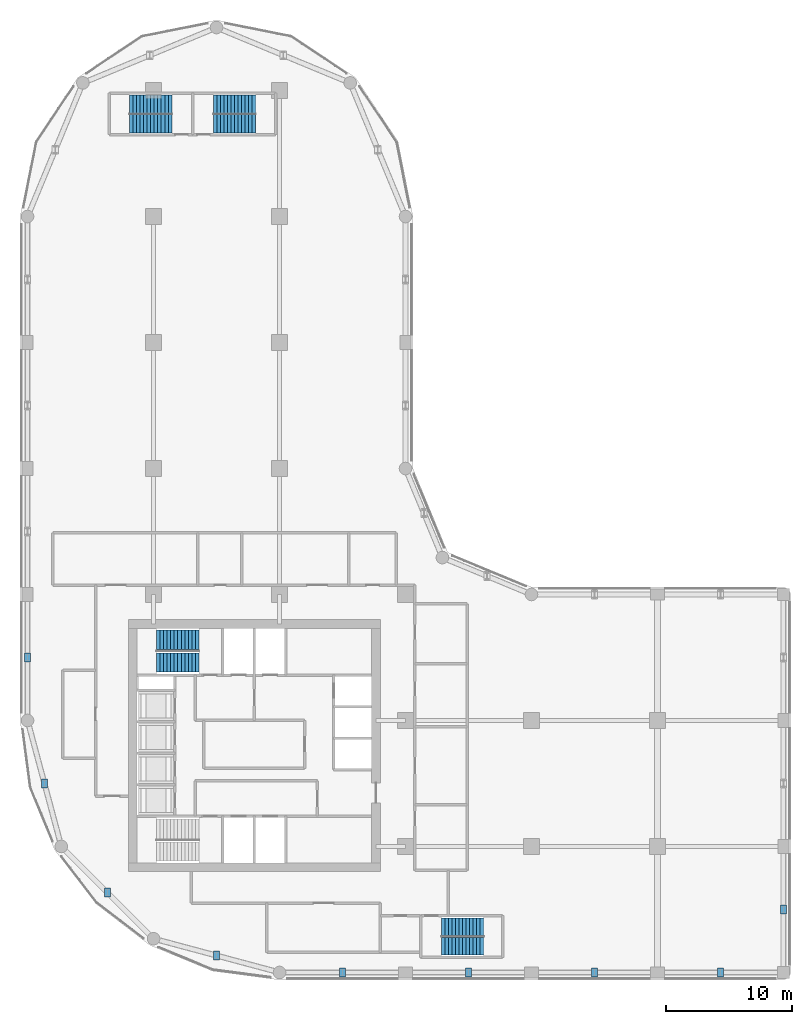
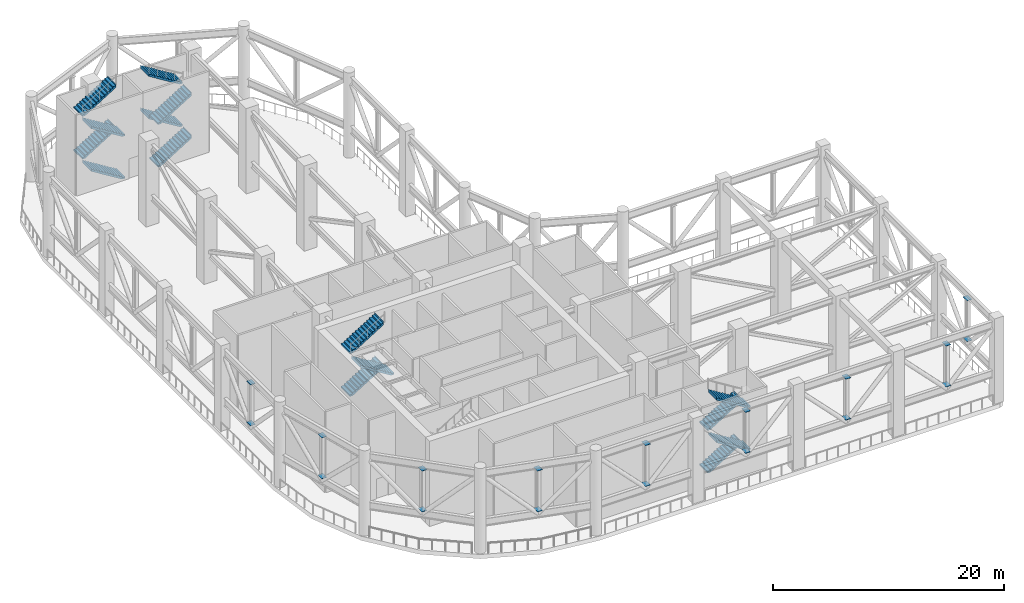
# One storey, part 9 of 13: 18 discrete accessories, 15 stair flights, 4 elements without a shape of their own.
"""IFC4 building model written with IfcOpenShell, lengths in metres."""

import ifcopenshell
import ifcopenshell.guid

model = None  # the IFC model being written
_history = None  # IfcOwnerHistory: only IFC2X3 demands one
_inside = {}  # id of a spatial element -> (the spatial element, [elements in it])
_under = {}  # id of a project, library or spatial element -> (it, [spatial elements below it])
_declared = {}  # id of a project -> (the project, [libraries it declares])
_typed = {}  # id of a type object -> (the type object, [elements of that type])
_made_of = {}  # id of a material, layer set ... -> (it, [elements and type objects made of it])


def new_model(schema):
    """Start an empty IFC model of exactly this schema.

    Asked for "IFC4X3", IfcOpenShell would pick the latest addendum, in which some entities
    have other attributes; the version numbers below select the first issue.
    IFC2X3 requires an IfcOwnerHistory on every rooted entity: one is made here for all.
    """
    global model, _history
    if schema == "IFC4X3":
        model = ifcopenshell.file(schema_version=(4, 3, 0, 0))
    else:
        model = ifcopenshell.file(schema=schema)
    _inside.clear()
    _under.clear()
    _declared.clear()
    _typed.clear()
    _made_of.clear()
    _history = None
    if model.schema == "IFC2X3":
        org = make("IfcOrganization", Name="unknown")
        user = make(
            "IfcPersonAndOrganization",
            ThePerson=make("IfcPerson", FamilyName="unknown"),
            TheOrganization=org,
        )
        app = make(
            "IfcApplication",
            ApplicationDeveloper=org,
            Version="unknown",
            ApplicationFullName="unknown",
            ApplicationIdentifier="unknown",
        )
        _history = make(
            "IfcOwnerHistory",
            OwningUser=user,
            OwningApplication=app,
            ChangeAction="ADDED",
            CreationDate=0,
        )
    return model


def make(cls, **values):
    """One entity of the class cls with the attributes given. An attribute that is None is left unset."""
    return model.create_entity(
        cls, **{name: value for name, value in values.items() if value is not None}
    )


def rooted(cls, **values):
    """An entity with a GlobalId (a new one), such as an element, a storey or a relation."""
    return make(cls, GlobalId=ifcopenshell.guid.new(), OwnerHistory=_history, **values)


def si_unit(unit_type, name, prefix=None):
    """IfcSIUnit, for example si_unit("LENGTHUNIT", "METRE", prefix="MILLI")."""
    return make("IfcSIUnit", UnitType=unit_type, Prefix=prefix, Name=name)


def assignment(units):
    """IfcUnitAssignment: the units of a project."""
    return None if units is None else make("IfcUnitAssignment", Units=units)


def point(xyz):
    """IfcCartesianPoint."""
    return None if xyz is None else make("IfcCartesianPoint", Coordinates=xyz)


def direction(xyz):
    """IfcDirection."""
    return None if xyz is None else make("IfcDirection", DirectionRatios=xyz)


def frame(location, z_axis=None, x_axis=None):
    """IfcAxis2Placement3D, a coordinate frame: its origin and axes. An axis left out is left unset."""
    return make(
        "IfcAxis2Placement3D",
        Location=point(location),
        Axis=direction(z_axis),
        RefDirection=direction(x_axis),
    )


def frame_2d(location, x_axis=None):
    """IfcAxis2Placement2D, a coordinate frame in the plane: its origin and x axis."""
    return make(
        "IfcAxis2Placement2D", Location=point(location), RefDirection=direction(x_axis)
    )


def origin():
    """The frame at (0, 0, 0) with its axes left unset."""
    return frame((0.0, 0.0, 0.0))


def origin_2d():
    """The frame at (0, 0) in the plane with its x axis left unset."""
    return frame_2d((0.0, 0.0))


def place(relative_to, where):
    """IfcLocalPlacement: puts the frame where relative to a parent placement (None: the world)."""
    return make(
        "IfcLocalPlacement", PlacementRelTo=relative_to, RelativePlacement=where
    )


def context(
    kind, dimensions, precision=None, world=None, true_north=None, identifier=None
):
    """IfcGeometricRepresentationContext, for example the 3D "Model" context."""
    return make(
        "IfcGeometricRepresentationContext",
        ContextIdentifier=identifier,
        ContextType=kind,
        CoordinateSpaceDimension=dimensions,
        Precision=precision,
        WorldCoordinateSystem=world,
        TrueNorth=true_north,
    )


def subcontext(parent, identifier, kind, view, scale=None):
    """IfcGeometricRepresentationSubContext, for example "Body" below "Model"."""
    return make(
        "IfcGeometricRepresentationSubContext",
        ContextIdentifier=identifier,
        ContextType=kind,
        ParentContext=parent,
        TargetScale=scale,
        TargetView=view,
    )


def project(units=None, contexts=None):
    """IfcProject with its units and contexts."""
    return rooted(
        "IfcProject",
        Name="project",
        RepresentationContexts=contexts,
        UnitsInContext=assignment(units),
    )


def spatial(cls, under=None, at=None, **own):
    """A site, building, storey or space (cls), placed at a placement, below another one or the project."""
    s = rooted(cls, ObjectPlacement=at, **own)
    if under is not None:
        _under.setdefault(under.id(), (under, []))[1].append(s)
    return s


def polyline(points):
    """IfcPolyline through the points."""
    return make("IfcPolyline", Points=[point(p) for p in points])


def profile(cls, at=None, kind="AREA", **sizes):
    """A parametric profile (cls). Its sizes go by their IFC names, for example OverallWidth=200.0."""
    return make(cls, ProfileType=kind, Position=at, **sizes)


def rectangle(**sizes):
    """IfcRectangleProfileDef."""
    return profile("IfcRectangleProfileDef", **sizes)


def outline(outer, holes=None, kind="AREA"):
    """IfcArbitraryClosedProfileDef: a profile drawn as a closed curve; with holes, ...WithVoids."""
    if holes is None:
        return make("IfcArbitraryClosedProfileDef", ProfileType=kind, OuterCurve=outer)
    return make(
        "IfcArbitraryProfileDefWithVoids",
        ProfileType=kind,
        OuterCurve=outer,
        InnerCurves=holes,
    )


def extrude(swept, where, along, depth):
    """IfcExtrudedAreaSolid: the profile swept, set in the frame where, extruded along a direction by depth."""
    return make(
        "IfcExtrudedAreaSolid",
        SweptArea=swept,
        Position=where,
        ExtrudedDirection=direction(along),
        Depth=depth,
    )


def shape(context_of_items, identifier, shape_type, items):
    """IfcShapeRepresentation: the items that make up one representation, for example the "Body"."""
    return make(
        "IfcShapeRepresentation",
        ContextOfItems=context_of_items,
        RepresentationIdentifier=identifier,
        RepresentationType=shape_type,
        Items=items,
    )


def material(Name=None, Category=None):
    """IfcMaterial."""
    return make("IfcMaterial", Name=Name, Category=Category)


def made_of(thing, what):
    """Note that an element or type object is made of a material, layer set ...; save() writes the relation."""
    if what is not None:
        _made_of.setdefault(what.id(), (what, []))[1].append(thing)
    return thing


def type_object(cls, material=None, **own):
    """A type object (cls), such as IfcWallType, which elements share."""
    return made_of(rooted(cls, **own), material)


def element(
    cls,
    number,
    at=None,
    inside=None,
    cuts=None,
    type_object=None,
    material=None,
    context=None,
    identifier="Body",
    shape_type=None,
    held_by="IfcProductDefinitionShape",
    body=None,
    shapes=None,
    **own,
):
    """One element of the class cls, such as IfcWall. Its Tag is "e" and its number.

    at: its placement. inside: the storey or other place that contains it. cuts: it is an
    opening in that element (IfcRelVoidsElement). A single representation is given by context,
    identifier, shape_type and body (its items); several are given by shapes. held_by: the class
    of the entity that holds the representations. save() writes the other relations.
    """
    e = rooted(cls, Tag="e%d" % number, ObjectPlacement=at, **own)
    if body is not None:
        shapes = [shape(context, identifier, shape_type, body)]
    if shapes is not None:
        e.Representation = make(held_by, Representations=shapes)
    if inside is not None:
        _inside.setdefault(inside.id(), (inside, []))[1].append(e)
    if cuts is not None:
        rooted(
            "IfcRelVoidsElement", RelatingBuildingElement=cuts, RelatedOpeningElement=e
        )
    if type_object is not None:
        _typed.setdefault(type_object.id(), (type_object, []))[1].append(e)
    return made_of(e, material)


def aggregate(whole, parts):
    """IfcRelAggregates: a whole, such as a stair, and the parts it consists of."""
    return rooted("IfcRelAggregates", RelatingObject=whole, RelatedObjects=parts)


def save(model, path):
    """Write the relations noted so far, then the file.

    IfcRelAggregates (storeys below a building ...), IfcRelContainedInSpatialStructure (elements
    in a storey), IfcRelDefinesByType, IfcRelAssociatesMaterial and IfcRelDeclares: one each for
    every whole, place, type object, material and project.
    """
    for whole, parts in _under.values():
        aggregate(whole, parts)
    for where, things in _inside.values():
        rooted(
            "IfcRelContainedInSpatialStructure",
            RelatedElements=things,
            RelatingStructure=where,
        )
    for kind, things in _typed.values():
        rooted("IfcRelDefinesByType", RelatedObjects=things, RelatingType=kind)
    for what, things in _made_of.values():
        rooted("IfcRelAssociatesMaterial", RelatedObjects=things, RelatingMaterial=what)
    for by, libraries in _declared.values():
        rooted("IfcRelDeclares", RelatingContext=by, RelatedDefinitions=libraries)
    model.write(path)


model = new_model("IFC4")

# Units and contexts
model_context = context("Model", 3, precision=1e-05, world=origin(), true_north=direction((0.0, 1.0)))
body_context = subcontext(model_context, "Body", "Model", "MODEL_VIEW")
ifc_project = project(units=[si_unit("LENGTHUNIT", "METRE"), si_unit("AREAUNIT", "SQUARE_METRE"), si_unit("VOLUMEUNIT", "CUBIC_METRE"), si_unit("PLANEANGLEUNIT", "RADIAN"), si_unit("MASSUNIT", "GRAM", prefix="KILO")], contexts=[model_context])

# Site, building, storey
site_placement = place(None, origin())
site = spatial("IfcSite", under=ifc_project, at=site_placement, CompositionType="ELEMENT")
building_placement = place(site_placement, origin())
building = spatial("IfcBuilding", under=site, at=building_placement, Name="Qaws Garden Tower", CompositionType="ELEMENT")
storey_placement = place(building_placement, frame((0.0, 0.0, 237.0)))
storey = spatial("IfcBuildingStorey", under=building, at=storey_placement, Name="L58", CompositionType="ELEMENT", Elevation=237.0)

# Stair, stair flights
ifc_material_1 = material(Name="Concrete C40", Category="concrete")
stair_type_1 = type_object("IfcStairType", Name="Exit stair 1350", PredefinedType="HALF_TURN_STAIR", material=ifc_material_1)
placement = place(storey_placement, origin())
stair_1 = element("IfcStair", 1, at=placement, inside=storey, type_object=stair_type_1, Name="Stair 5", PredefinedType="HALF_TURN_STAIR")
ifc_material_2 = material(Name="Concrete C40", Category="concrete")
stair_flight_type_1 = type_object("IfcStairFlightType", Name="Stair flight 1350", PredefinedType="STRAIGHT", material=ifc_material_2)
stair_flight_1_placement = place(storey_placement, frame((32.85009765625, 3.625, 0.0), z_axis=(0.0, 0.0, 1.0), x_axis=(1.0, 0.0, 0.0)))
stair_flight_1 = element("IfcStairFlight", 2, at=stair_flight_1_placement, type_object=stair_flight_type_1, Name="ST5 flight 1", NumberOfRisers=13, NumberOfTreads=12, PredefinedType="STRAIGHT", RiserHeight=0.173076923, TreadLength=0.28, context=body_context, shape_type="SweptSolid", body=[
    extrude(outline(polyline([(-0.0029296875, 0.0), (-0.0029296875, 0.173095703125), (0.0, 0.173095703125), (0.280029296875, 0.173095703125), (0.280029296875, 0.34619140625), (0.56005859375, 0.34619140625), (0.56005859375, 0.519287109375), (0.840087890625, 0.519287109375), (0.840087890625, 0.6923828125), (1.1201171875, 0.6923828125), (1.1201171875, 0.865478515625), (1.39990234375, 0.865478515625), (1.39990234375, 1.03857421875), (1.679931640625, 1.03857421875), (1.679931640625, 1.21142578125), (1.9599609375, 1.21142578125), (1.9599609375, 1.384521484375), (2.239990234375, 1.384521484375), (2.239990234375, 1.5576171875), (2.52001953125, 1.5576171875), (2.52001953125, 1.730712890625), (2.800048828125, 1.730712890625), (2.800048828125, 1.90380859375), (3.080078125, 1.90380859375), (3.080078125, 2.076904296875), (3.360107421875, 2.076904296875), (3.360107421875, 2.25), (3.363037109375, 2.25), (3.363037109375, 1.900634765625), (3.360107421875, 1.900634765625), (0.28515625, 0.0), (-0.0029296875, 0.0)])), frame((0.0, 0.68994140625, 0.0), z_axis=(0.0, -1.0, 0.0), x_axis=(1.0, 0.0, 0.0)), (0.0, 0.0, 1.0), 1.3798828125),
])
stair_flight_2_placement = place(storey_placement, frame((36.2099609375, 2.074951171875, 2.25), z_axis=(0.0, 0.0, 1.0), x_axis=(-1.0, 0.0, 0.0)))
stair_flight_2 = element("IfcStairFlight", 3, at=stair_flight_2_placement, type_object=stair_flight_type_1, Name="ST5 flight 2", NumberOfRisers=13, NumberOfTreads=12, PredefinedType="STRAIGHT", RiserHeight=0.173076923, TreadLength=0.28, context=body_context, shape_type="SweptSolid", body=[
    extrude(outline(polyline([(-0.0029296875, 0.0), (-0.0029296875, 0.173095703125), (0.0, 0.173095703125), (0.280029296875, 0.173095703125), (0.280029296875, 0.34619140625), (0.56005859375, 0.34619140625), (0.56005859375, 0.519287109375), (0.840087890625, 0.519287109375), (0.840087890625, 0.6923828125), (1.1201171875, 0.6923828125), (1.1201171875, 0.865478515625), (1.39990234375, 0.865478515625), (1.39990234375, 1.03857421875), (1.679931640625, 1.03857421875), (1.679931640625, 1.21142578125), (1.9599609375, 1.21142578125), (1.9599609375, 1.384521484375), (2.239990234375, 1.384521484375), (2.239990234375, 1.5576171875), (2.52001953125, 1.5576171875), (2.52001953125, 1.730712890625), (2.800048828125, 1.730712890625), (2.800048828125, 1.90380859375), (3.080078125, 1.90380859375), (3.080078125, 2.076904296875), (3.360107421875, 2.076904296875), (3.360107421875, 2.25), (3.363037109375, 2.25), (3.363037109375, 1.900634765625), (3.360107421875, 1.900634765625), (0.28515625, 0.0), (-0.0029296875, 0.0)])), frame((0.0, 0.68994140625, 0.0), z_axis=(0.0, -1.0, 0.0), x_axis=(1.0, 0.0, 0.0)), (0.0, 0.0, 1.0), 1.3798828125),
])
stair_flight_3_placement = place(storey_placement, frame((32.85009765625, 3.625, 4.5), z_axis=(0.0, 0.0, 1.0), x_axis=(1.0, 0.0, 0.0)))
stair_flight_3 = element("IfcStairFlight", 4, at=stair_flight_3_placement, type_object=stair_flight_type_1, Name="ST5 flight 3", NumberOfRisers=13, NumberOfTreads=12, PredefinedType="STRAIGHT", RiserHeight=0.173076923, TreadLength=0.28, context=body_context, shape_type="SweptSolid", body=[
    extrude(outline(polyline([(-0.0029296875, 0.0), (-0.0029296875, 0.173095703125), (0.0, 0.173095703125), (0.280029296875, 0.173095703125), (0.280029296875, 0.34619140625), (0.56005859375, 0.34619140625), (0.56005859375, 0.519287109375), (0.840087890625, 0.519287109375), (0.840087890625, 0.6923828125), (1.1201171875, 0.6923828125), (1.1201171875, 0.865478515625), (1.39990234375, 0.865478515625), (1.39990234375, 1.03857421875), (1.679931640625, 1.03857421875), (1.679931640625, 1.21142578125), (1.9599609375, 1.21142578125), (1.9599609375, 1.384521484375), (2.239990234375, 1.384521484375), (2.239990234375, 1.5576171875), (2.52001953125, 1.5576171875), (2.52001953125, 1.730712890625), (2.800048828125, 1.730712890625), (2.800048828125, 1.90380859375), (3.080078125, 1.90380859375), (3.080078125, 2.076904296875), (3.360107421875, 2.076904296875), (3.360107421875, 2.25), (3.363037109375, 2.25), (3.363037109375, 1.900634765625), (3.360107421875, 1.900634765625), (0.28515625, 0.0), (-0.0029296875, 0.0)])), frame((0.0, 0.68994140625, 0.0), z_axis=(0.0, -1.0, 0.0), x_axis=(1.0, 0.0, 0.0)), (0.0, 0.0, 1.0), 1.3798828125),
])
stair_flight_4_placement = place(storey_placement, frame((36.2099609375, 2.074951171875, 6.75), z_axis=(0.0, 0.0, 1.0), x_axis=(-1.0, 0.0, 0.0)))
stair_flight_4 = element("IfcStairFlight", 5, at=stair_flight_4_placement, type_object=stair_flight_type_1, Name="ST5 flight 4", NumberOfRisers=13, NumberOfTreads=12, PredefinedType="STRAIGHT", RiserHeight=0.173076923, TreadLength=0.28, context=body_context, shape_type="SweptSolid", body=[
    extrude(outline(polyline([(-0.0029296875, 0.0), (-0.0029296875, 0.173095703125), (0.0, 0.173095703125), (0.280029296875, 0.173095703125), (0.280029296875, 0.34619140625), (0.56005859375, 0.34619140625), (0.56005859375, 0.519287109375), (0.840087890625, 0.519287109375), (0.840087890625, 0.6923828125), (1.1201171875, 0.6923828125), (1.1201171875, 0.865478515625), (1.39990234375, 0.865478515625), (1.39990234375, 1.03857421875), (1.679931640625, 1.03857421875), (1.679931640625, 1.21142578125), (1.9599609375, 1.21142578125), (1.9599609375, 1.384521484375), (2.239990234375, 1.384521484375), (2.239990234375, 1.5576171875), (2.52001953125, 1.5576171875), (2.52001953125, 1.730712890625), (2.800048828125, 1.730712890625), (2.800048828125, 1.90380859375), (3.080078125, 1.90380859375), (3.080078125, 2.076904296875), (3.360107421875, 2.076904296875), (3.360107421875, 2.25), (3.363037109375, 2.25), (3.363037109375, 1.900634765625), (3.360107421875, 1.900634765625), (0.28515625, 0.0), (-0.0029296875, 0.0)])), frame((0.0, 0.68994140625, 0.0), z_axis=(0.0, -1.0, 0.0), x_axis=(1.0, 0.0, 0.0)), (0.0, 0.0, 1.0), 1.3798828125),
])
aggregate(stair_1, [stair_flight_1, stair_flight_2, stair_flight_3, stair_flight_4])

stair_2 = element("IfcStair", 6, at=placement, inside=storey, type_object=stair_type_1, Name="Stair 6", PredefinedType="HALF_TURN_STAIR")
stair_flight_5_placement = place(storey_placement, frame((11.449951171875, 67.375, 0.0), z_axis=(0.0, 0.0, 1.0), x_axis=(-1.0, 0.0, 0.0)))
stair_flight_5 = element("IfcStairFlight", 7, at=stair_flight_5_placement, type_object=stair_flight_type_1, Name="ST6 flight 1", NumberOfRisers=13, NumberOfTreads=12, PredefinedType="STRAIGHT", RiserHeight=0.173076923, TreadLength=0.28, context=body_context, shape_type="SweptSolid", body=[
    extrude(outline(polyline([(-0.0029296875, 0.0), (-0.0029296875, 0.173095703125), (0.0, 0.173095703125), (0.280029296875, 0.173095703125), (0.280029296875, 0.34619140625), (0.56005859375, 0.34619140625), (0.56005859375, 0.519287109375), (0.840087890625, 0.519287109375), (0.840087890625, 0.6923828125), (1.1201171875, 0.6923828125), (1.1201171875, 0.865478515625), (1.39990234375, 0.865478515625), (1.39990234375, 1.03857421875), (1.679931640625, 1.03857421875), (1.679931640625, 1.21142578125), (1.9599609375, 1.21142578125), (1.9599609375, 1.384521484375), (2.239990234375, 1.384521484375), (2.239990234375, 1.5576171875), (2.52001953125, 1.5576171875), (2.52001953125, 1.730712890625), (2.800048828125, 1.730712890625), (2.800048828125, 1.90380859375), (3.080078125, 1.90380859375), (3.080078125, 2.076904296875), (3.360107421875, 2.076904296875), (3.360107421875, 2.25), (3.363037109375, 2.25), (3.363037109375, 1.900634765625), (3.360107421875, 1.900634765625), (0.28515625, 0.0), (-0.0029296875, 0.0)])), frame((0.0, 0.739990234375, 0.0), z_axis=(0.0, -1.0, 0.0), x_axis=(1.0, 0.0, 0.0)), (0.0, 0.0, 1.0), 1.47998046875),
])
stair_flight_6_placement = place(storey_placement, frame((8.090087890625, 68.925048828125, 2.25), z_axis=(0.0, 0.0, 1.0), x_axis=(1.0, 0.0, 0.0)))
stair_flight_6 = element("IfcStairFlight", 8, at=stair_flight_6_placement, type_object=stair_flight_type_1, Name="ST6 flight 2", NumberOfRisers=13, NumberOfTreads=12, PredefinedType="STRAIGHT", RiserHeight=0.173076923, TreadLength=0.28, context=body_context, shape_type="SweptSolid", body=[
    extrude(outline(polyline([(-0.0029296875, 0.0), (-0.0029296875, 0.173095703125), (0.0, 0.173095703125), (0.280029296875, 0.173095703125), (0.280029296875, 0.34619140625), (0.56005859375, 0.34619140625), (0.56005859375, 0.519287109375), (0.840087890625, 0.519287109375), (0.840087890625, 0.6923828125), (1.1201171875, 0.6923828125), (1.1201171875, 0.865478515625), (1.39990234375, 0.865478515625), (1.39990234375, 1.03857421875), (1.679931640625, 1.03857421875), (1.679931640625, 1.21142578125), (1.9599609375, 1.21142578125), (1.9599609375, 1.384521484375), (2.239990234375, 1.384521484375), (2.239990234375, 1.5576171875), (2.52001953125, 1.5576171875), (2.52001953125, 1.730712890625), (2.800048828125, 1.730712890625), (2.800048828125, 1.90380859375), (3.080078125, 1.90380859375), (3.080078125, 2.076904296875), (3.360107421875, 2.076904296875), (3.360107421875, 2.25), (3.363037109375, 2.25), (3.363037109375, 1.900634765625), (3.360107421875, 1.900634765625), (0.28515625, 0.0), (-0.0029296875, 0.0)])), frame((0.0, 0.739990234375, 0.0), z_axis=(0.0, -1.0, 0.0), x_axis=(1.0, 0.0, 0.0)), (0.0, 0.0, 1.0), 1.47998046875),
])
stair_flight_7_placement = place(storey_placement, frame((11.449951171875, 67.375, 4.5), z_axis=(0.0, 0.0, 1.0), x_axis=(-1.0, 0.0, 0.0)))
stair_flight_7 = element("IfcStairFlight", 9, at=stair_flight_7_placement, type_object=stair_flight_type_1, Name="ST6 flight 3", NumberOfRisers=13, NumberOfTreads=12, PredefinedType="STRAIGHT", RiserHeight=0.173076923, TreadLength=0.28, context=body_context, shape_type="SweptSolid", body=[
    extrude(outline(polyline([(-0.0029296875, 0.0), (-0.0029296875, 0.173095703125), (0.0, 0.173095703125), (0.280029296875, 0.173095703125), (0.280029296875, 0.34619140625), (0.56005859375, 0.34619140625), (0.56005859375, 0.519287109375), (0.840087890625, 0.519287109375), (0.840087890625, 0.6923828125), (1.1201171875, 0.6923828125), (1.1201171875, 0.865478515625), (1.39990234375, 0.865478515625), (1.39990234375, 1.03857421875), (1.679931640625, 1.03857421875), (1.679931640625, 1.21142578125), (1.9599609375, 1.21142578125), (1.9599609375, 1.384521484375), (2.239990234375, 1.384521484375), (2.239990234375, 1.5576171875), (2.52001953125, 1.5576171875), (2.52001953125, 1.730712890625), (2.800048828125, 1.730712890625), (2.800048828125, 1.90380859375), (3.080078125, 1.90380859375), (3.080078125, 2.076904296875), (3.360107421875, 2.076904296875), (3.360107421875, 2.25), (3.363037109375, 2.25), (3.363037109375, 1.900634765625), (3.360107421875, 1.900634765625), (0.28515625, 0.0), (-0.0029296875, 0.0)])), frame((0.0, 0.739990234375, 0.0), z_axis=(0.0, -1.0, 0.0), x_axis=(1.0, 0.0, 0.0)), (0.0, 0.0, 1.0), 1.47998046875),
])
stair_flight_8_placement = place(storey_placement, frame((8.090087890625, 68.925048828125, 6.75), z_axis=(0.0, 0.0, 1.0), x_axis=(1.0, 0.0, 0.0)))
stair_flight_8 = element("IfcStairFlight", 10, at=stair_flight_8_placement, type_object=stair_flight_type_1, Name="ST6 flight 4", NumberOfRisers=13, NumberOfTreads=12, PredefinedType="STRAIGHT", RiserHeight=0.173076923, TreadLength=0.28, context=body_context, shape_type="SweptSolid", body=[
    extrude(outline(polyline([(-0.0029296875, 0.0), (-0.0029296875, 0.173095703125), (0.0, 0.173095703125), (0.280029296875, 0.173095703125), (0.280029296875, 0.34619140625), (0.56005859375, 0.34619140625), (0.56005859375, 0.519287109375), (0.840087890625, 0.519287109375), (0.840087890625, 0.6923828125), (1.1201171875, 0.6923828125), (1.1201171875, 0.865478515625), (1.39990234375, 0.865478515625), (1.39990234375, 1.03857421875), (1.679931640625, 1.03857421875), (1.679931640625, 1.21142578125), (1.9599609375, 1.21142578125), (1.9599609375, 1.384521484375), (2.239990234375, 1.384521484375), (2.239990234375, 1.5576171875), (2.52001953125, 1.5576171875), (2.52001953125, 1.730712890625), (2.800048828125, 1.730712890625), (2.800048828125, 1.90380859375), (3.080078125, 1.90380859375), (3.080078125, 2.076904296875), (3.360107421875, 2.076904296875), (3.360107421875, 2.25), (3.363037109375, 2.25), (3.363037109375, 1.900634765625), (3.360107421875, 1.900634765625), (0.28515625, 0.0), (-0.0029296875, 0.0)])), frame((0.0, 0.739990234375, 0.0), z_axis=(0.0, -1.0, 0.0), x_axis=(1.0, 0.0, 0.0)), (0.0, 0.0, 1.0), 1.47998046875),
])
aggregate(stair_2, [stair_flight_5, stair_flight_6, stair_flight_7, stair_flight_8])

stair_3 = element("IfcStair", 11, at=placement, inside=storey, type_object=stair_type_1, Name="Stair 7", PredefinedType="HALF_TURN_STAIR")
stair_flight_9_placement = place(storey_placement, frame((14.75, 67.375, 0.0), z_axis=(0.0, 0.0, 1.0), x_axis=(1.0, 0.0, 0.0)))
stair_flight_9 = element("IfcStairFlight", 12, at=stair_flight_9_placement, type_object=stair_flight_type_1, Name="ST7 flight 1", NumberOfRisers=13, NumberOfTreads=12, PredefinedType="STRAIGHT", RiserHeight=0.173076923, TreadLength=0.28, context=body_context, shape_type="SweptSolid", body=[
    extrude(outline(polyline([(-0.0029296875, 0.0), (-0.0029296875, 0.173095703125), (0.0, 0.173095703125), (0.280029296875, 0.173095703125), (0.280029296875, 0.34619140625), (0.56005859375, 0.34619140625), (0.56005859375, 0.519287109375), (0.840087890625, 0.519287109375), (0.840087890625, 0.6923828125), (1.1201171875, 0.6923828125), (1.1201171875, 0.865478515625), (1.39990234375, 0.865478515625), (1.39990234375, 1.03857421875), (1.679931640625, 1.03857421875), (1.679931640625, 1.21142578125), (1.9599609375, 1.21142578125), (1.9599609375, 1.384521484375), (2.239990234375, 1.384521484375), (2.239990234375, 1.5576171875), (2.52001953125, 1.5576171875), (2.52001953125, 1.730712890625), (2.800048828125, 1.730712890625), (2.800048828125, 1.90380859375), (3.080078125, 1.90380859375), (3.080078125, 2.076904296875), (3.360107421875, 2.076904296875), (3.360107421875, 2.25), (3.363037109375, 2.25), (3.363037109375, 1.900634765625), (3.360107421875, 1.900634765625), (0.28515625, 0.0), (-0.0029296875, 0.0)])), frame((0.0, 0.739990234375, 0.0), z_axis=(0.0, -1.0, 0.0), x_axis=(1.0, 0.0, 0.0)), (0.0, 0.0, 1.0), 1.47998046875),
])
stair_flight_10_placement = place(storey_placement, frame((18.110107421875, 68.925048828125, 2.25), z_axis=(0.0, 0.0, 1.0), x_axis=(-1.0, 0.0, 0.0)))
stair_flight_10 = element("IfcStairFlight", 13, at=stair_flight_10_placement, type_object=stair_flight_type_1, Name="ST7 flight 2", NumberOfRisers=13, NumberOfTreads=12, PredefinedType="STRAIGHT", RiserHeight=0.173076923, TreadLength=0.28, context=body_context, shape_type="SweptSolid", body=[
    extrude(outline(polyline([(-0.0029296875, 0.0), (-0.0029296875, 0.173095703125), (0.0, 0.173095703125), (0.280029296875, 0.173095703125), (0.280029296875, 0.34619140625), (0.56005859375, 0.34619140625), (0.56005859375, 0.519287109375), (0.840087890625, 0.519287109375), (0.840087890625, 0.6923828125), (1.1201171875, 0.6923828125), (1.1201171875, 0.865478515625), (1.39990234375, 0.865478515625), (1.39990234375, 1.03857421875), (1.679931640625, 1.03857421875), (1.679931640625, 1.21142578125), (1.9599609375, 1.21142578125), (1.9599609375, 1.384521484375), (2.239990234375, 1.384521484375), (2.239990234375, 1.5576171875), (2.52001953125, 1.5576171875), (2.52001953125, 1.730712890625), (2.800048828125, 1.730712890625), (2.800048828125, 1.90380859375), (3.080078125, 1.90380859375), (3.080078125, 2.076904296875), (3.360107421875, 2.076904296875), (3.360107421875, 2.25), (3.363037109375, 2.25), (3.363037109375, 1.900634765625), (3.360107421875, 1.900634765625), (0.28515625, 0.0), (-0.0029296875, 0.0)])), frame((0.0, 0.739990234375, 0.0), z_axis=(0.0, -1.0, 0.0), x_axis=(1.0, 0.0, 0.0)), (0.0, 0.0, 1.0), 1.47998046875),
])
stair_flight_11_placement = place(storey_placement, frame((14.75, 67.375, 4.5), z_axis=(0.0, 0.0, 1.0), x_axis=(1.0, 0.0, 0.0)))
stair_flight_11 = element("IfcStairFlight", 14, at=stair_flight_11_placement, type_object=stair_flight_type_1, Name="ST7 flight 3", NumberOfRisers=13, NumberOfTreads=12, PredefinedType="STRAIGHT", RiserHeight=0.173076923, TreadLength=0.28, context=body_context, shape_type="SweptSolid", body=[
    extrude(outline(polyline([(-0.0029296875, 0.0), (-0.0029296875, 0.173095703125), (0.0, 0.173095703125), (0.280029296875, 0.173095703125), (0.280029296875, 0.34619140625), (0.56005859375, 0.34619140625), (0.56005859375, 0.519287109375), (0.840087890625, 0.519287109375), (0.840087890625, 0.6923828125), (1.1201171875, 0.6923828125), (1.1201171875, 0.865478515625), (1.39990234375, 0.865478515625), (1.39990234375, 1.03857421875), (1.679931640625, 1.03857421875), (1.679931640625, 1.21142578125), (1.9599609375, 1.21142578125), (1.9599609375, 1.384521484375), (2.239990234375, 1.384521484375), (2.239990234375, 1.5576171875), (2.52001953125, 1.5576171875), (2.52001953125, 1.730712890625), (2.800048828125, 1.730712890625), (2.800048828125, 1.90380859375), (3.080078125, 1.90380859375), (3.080078125, 2.076904296875), (3.360107421875, 2.076904296875), (3.360107421875, 2.25), (3.363037109375, 2.25), (3.363037109375, 1.900634765625), (3.360107421875, 1.900634765625), (0.28515625, 0.0), (-0.0029296875, 0.0)])), frame((0.0, 0.739990234375, 0.0), z_axis=(0.0, -1.0, 0.0), x_axis=(1.0, 0.0, 0.0)), (0.0, 0.0, 1.0), 1.47998046875),
])
stair_flight_12_placement = place(storey_placement, frame((18.110107421875, 68.925048828125, 6.75), z_axis=(0.0, 0.0, 1.0), x_axis=(-1.0, 0.0, 0.0)))
stair_flight_12 = element("IfcStairFlight", 15, at=stair_flight_12_placement, type_object=stair_flight_type_1, Name="ST7 flight 4", NumberOfRisers=13, NumberOfTreads=12, PredefinedType="STRAIGHT", RiserHeight=0.173076923, TreadLength=0.28, context=body_context, shape_type="SweptSolid", body=[
    extrude(outline(polyline([(-0.0029296875, 0.0), (-0.0029296875, 0.173095703125), (0.0, 0.173095703125), (0.280029296875, 0.173095703125), (0.280029296875, 0.34619140625), (0.56005859375, 0.34619140625), (0.56005859375, 0.519287109375), (0.840087890625, 0.519287109375), (0.840087890625, 0.6923828125), (1.1201171875, 0.6923828125), (1.1201171875, 0.865478515625), (1.39990234375, 0.865478515625), (1.39990234375, 1.03857421875), (1.679931640625, 1.03857421875), (1.679931640625, 1.21142578125), (1.9599609375, 1.21142578125), (1.9599609375, 1.384521484375), (2.239990234375, 1.384521484375), (2.239990234375, 1.5576171875), (2.52001953125, 1.5576171875), (2.52001953125, 1.730712890625), (2.800048828125, 1.730712890625), (2.800048828125, 1.90380859375), (3.080078125, 1.90380859375), (3.080078125, 2.076904296875), (3.360107421875, 2.076904296875), (3.360107421875, 2.25), (3.363037109375, 2.25), (3.363037109375, 1.900634765625), (3.360107421875, 1.900634765625), (0.28515625, 0.0), (-0.0029296875, 0.0)])), frame((0.0, 0.739990234375, 0.0), z_axis=(0.0, -1.0, 0.0), x_axis=(1.0, 0.0, 0.0)), (0.0, 0.0, 1.0), 1.47998046875),
])
aggregate(stair_3, [stair_flight_9, stair_flight_10, stair_flight_11, stair_flight_12])

ifc_material_3 = material(Name="Concrete C40", Category="concrete")
stair_type_2 = type_object("IfcStairType", Name="Exit stair 1500", PredefinedType="HALF_TURN_STAIR", material=ifc_material_3)
stair_4 = element("IfcStair", 16, at=placement, inside=storey, type_object=stair_type_2, Name="Stair 4", PredefinedType="HALF_TURN_STAIR")
ifc_material_4 = material(Name="Concrete C40", Category="concrete")
stair_flight_type_2 = type_object("IfcStairFlightType", Name="Stair flight 1500", PredefinedType="STRAIGHT", material=ifc_material_4)
stair_flight_13_placement = place(storey_placement, frame((10.239990234375, 26.39990234375, 2.25), z_axis=(0.0, 0.0, 1.0), x_axis=(1.0, 0.0, 0.0)))
stair_flight_13 = element("IfcStairFlight", 17, at=stair_flight_13_placement, type_object=stair_flight_type_2, Name="ST4 flight 2", NumberOfRisers=13, NumberOfTreads=12, PredefinedType="STRAIGHT", RiserHeight=0.173076923, TreadLength=0.28, context=body_context, shape_type="SweptSolid", body=[
    extrude(outline(polyline([(-0.0029296875, 0.0), (-0.0029296875, 0.173095703125), (0.0, 0.173095703125), (0.280029296875, 0.173095703125), (0.280029296875, 0.34619140625), (0.56005859375, 0.34619140625), (0.56005859375, 0.519287109375), (0.840087890625, 0.519287109375), (0.840087890625, 0.6923828125), (1.1201171875, 0.6923828125), (1.1201171875, 0.865478515625), (1.39990234375, 0.865478515625), (1.39990234375, 1.03857421875), (1.679931640625, 1.03857421875), (1.679931640625, 1.21142578125), (1.9599609375, 1.21142578125), (1.9599609375, 1.384521484375), (2.239990234375, 1.384521484375), (2.239990234375, 1.5576171875), (2.52001953125, 1.5576171875), (2.52001953125, 1.730712890625), (2.800048828125, 1.730712890625), (2.800048828125, 1.90380859375), (3.080078125, 1.90380859375), (3.080078125, 2.076904296875), (3.360107421875, 2.076904296875), (3.360107421875, 2.25), (3.363037109375, 2.25), (3.363037109375, 1.900634765625), (3.360107421875, 1.900634765625), (0.28515625, 0.0), (-0.0029296875, 0.0)])), frame((0.0, 0.77001953125, 0.0), z_axis=(0.0, -1.0, 0.0), x_axis=(1.0, 0.0, 0.0)), (0.0, 0.0, 1.0), 1.5400390625),
])
stair_flight_14_placement = place(storey_placement, frame((13.60009765625, 24.60009765625, 4.5), z_axis=(0.0, 0.0, 1.0), x_axis=(-1.0, 0.0, 0.0)))
stair_flight_14 = element("IfcStairFlight", 18, at=stair_flight_14_placement, type_object=stair_flight_type_2, Name="ST4 flight 3", NumberOfRisers=13, NumberOfTreads=12, PredefinedType="STRAIGHT", RiserHeight=0.173076923, TreadLength=0.28, context=body_context, shape_type="SweptSolid", body=[
    extrude(outline(polyline([(-0.0029296875, 0.0), (-0.0029296875, 0.173095703125), (0.0, 0.173095703125), (0.280029296875, 0.173095703125), (0.280029296875, 0.34619140625), (0.56005859375, 0.34619140625), (0.56005859375, 0.519287109375), (0.840087890625, 0.519287109375), (0.840087890625, 0.6923828125), (1.1201171875, 0.6923828125), (1.1201171875, 0.865478515625), (1.39990234375, 0.865478515625), (1.39990234375, 1.03857421875), (1.679931640625, 1.03857421875), (1.679931640625, 1.21142578125), (1.9599609375, 1.21142578125), (1.9599609375, 1.384521484375), (2.239990234375, 1.384521484375), (2.239990234375, 1.5576171875), (2.52001953125, 1.5576171875), (2.52001953125, 1.730712890625), (2.800048828125, 1.730712890625), (2.800048828125, 1.90380859375), (3.080078125, 1.90380859375), (3.080078125, 2.076904296875), (3.360107421875, 2.076904296875), (3.360107421875, 2.25), (3.363037109375, 2.25), (3.363037109375, 1.900634765625), (3.360107421875, 1.900634765625), (0.28515625, 0.0), (-0.0029296875, 0.0)])), frame((0.0, 0.77001953125, 0.0), z_axis=(0.0, -1.0, 0.0), x_axis=(1.0, 0.0, 0.0)), (0.0, 0.0, 1.0), 1.5400390625),
])
stair_flight_15_placement = place(storey_placement, frame((10.239990234375, 26.39990234375, 6.75), z_axis=(0.0, 0.0, 1.0), x_axis=(1.0, 0.0, 0.0)))
stair_flight_15 = element("IfcStairFlight", 19, at=stair_flight_15_placement, type_object=stair_flight_type_2, Name="ST4 flight 4", NumberOfRisers=13, NumberOfTreads=12, PredefinedType="STRAIGHT", RiserHeight=0.173076923, TreadLength=0.28, context=body_context, shape_type="SweptSolid", body=[
    extrude(outline(polyline([(-0.0029296875, 0.0), (-0.0029296875, 0.173095703125), (0.0, 0.173095703125), (0.280029296875, 0.173095703125), (0.280029296875, 0.34619140625), (0.56005859375, 0.34619140625), (0.56005859375, 0.519287109375), (0.840087890625, 0.519287109375), (0.840087890625, 0.6923828125), (1.1201171875, 0.6923828125), (1.1201171875, 0.865478515625), (1.39990234375, 0.865478515625), (1.39990234375, 1.03857421875), (1.679931640625, 1.03857421875), (1.679931640625, 1.21142578125), (1.9599609375, 1.21142578125), (1.9599609375, 1.384521484375), (2.239990234375, 1.384521484375), (2.239990234375, 1.5576171875), (2.52001953125, 1.5576171875), (2.52001953125, 1.730712890625), (2.800048828125, 1.730712890625), (2.800048828125, 1.90380859375), (3.080078125, 1.90380859375), (3.080078125, 2.076904296875), (3.360107421875, 2.076904296875), (3.360107421875, 2.25), (3.363037109375, 2.25), (3.363037109375, 1.900634765625), (3.360107421875, 1.900634765625), (0.28515625, 0.0), (-0.0029296875, 0.0)])), frame((0.0, 0.77001953125, 0.0), z_axis=(0.0, -1.0, 0.0), x_axis=(1.0, 0.0, 0.0)), (0.0, 0.0, 1.0), 1.5400390625),
])
aggregate(stair_4, [stair_flight_13, stair_flight_14, stair_flight_15])

# Discrete accessories
ifc_material_5 = material(Name="Steel S355", Category="steel")
discrete_accessory_type = type_object("IfcDiscreteAccessoryType", Name="Belt post end plate 30", PredefinedType="USERDEFINED", material=ifc_material_5)
discrete_accessory_1_placement = place(storey_placement, frame((25.0, 0.0, 3.39990234375), z_axis=(0.0, 0.0, 1.0), x_axis=(1.0, 0.0, 0.0)))
element("IfcDiscreteAccessory", 20, at=discrete_accessory_1_placement, inside=storey, type_object=discrete_accessory_type, Name="Belt truss post 1 end plate bottom", ObjectType="End plate", PredefinedType="USERDEFINED", context=body_context, shape_type="SweptSolid", body=[
    extrude(rectangle(XDim=0.5, YDim=0.699951171875, at=origin_2d()), origin(), (0.0, 0.0, 1.0), 0.030029296875),
])
discrete_accessory_2_placement = place(storey_placement, frame((25.0, 0.0, 7.72021484375), z_axis=(0.0, 0.0, 1.0), x_axis=(1.0, 0.0, 0.0)))
element("IfcDiscreteAccessory", 21, at=discrete_accessory_2_placement, inside=storey, type_object=discrete_accessory_type, Name="Belt truss post 1 end plate top", ObjectType="End plate", PredefinedType="USERDEFINED", context=body_context, shape_type="SweptSolid", body=[
    extrude(rectangle(XDim=0.5, YDim=0.699951171875, at=origin_2d()), origin(), (0.0, 0.0, 1.0), 0.030029296875),
])
discrete_accessory_3_placement = place(storey_placement, frame((35.0, 0.0, 3.39990234375), z_axis=(0.0, 0.0, 1.0), x_axis=(1.0, 0.0, 0.0)))
element("IfcDiscreteAccessory", 22, at=discrete_accessory_3_placement, inside=storey, type_object=discrete_accessory_type, Name="Belt truss post 2 end plate bottom", ObjectType="End plate", PredefinedType="USERDEFINED", context=body_context, shape_type="SweptSolid", body=[
    extrude(rectangle(XDim=0.5, YDim=0.699951171875, at=origin_2d()), origin(), (0.0, 0.0, 1.0), 0.030029296875),
])
discrete_accessory_4_placement = place(storey_placement, frame((35.0, 0.0, 7.72021484375), z_axis=(0.0, 0.0, 1.0), x_axis=(1.0, 0.0, 0.0)))
element("IfcDiscreteAccessory", 23, at=discrete_accessory_4_placement, inside=storey, type_object=discrete_accessory_type, Name="Belt truss post 2 end plate top", ObjectType="End plate", PredefinedType="USERDEFINED", context=body_context, shape_type="SweptSolid", body=[
    extrude(rectangle(XDim=0.5, YDim=0.699951171875, at=origin_2d()), origin(), (0.0, 0.0, 1.0), 0.030029296875),
])
discrete_accessory_5_placement = place(storey_placement, frame((45.0, 0.0, 3.39990234375), z_axis=(0.0, 0.0, 1.0), x_axis=(1.0, 0.0, 0.0)))
element("IfcDiscreteAccessory", 24, at=discrete_accessory_5_placement, inside=storey, type_object=discrete_accessory_type, Name="Belt truss post 3 end plate bottom", ObjectType="End plate", PredefinedType="USERDEFINED", context=body_context, shape_type="SweptSolid", body=[
    extrude(rectangle(XDim=0.5, YDim=0.699951171875, at=origin_2d()), origin(), (0.0, 0.0, 1.0), 0.030029296875),
])
discrete_accessory_6_placement = place(storey_placement, frame((45.0, 0.0, 7.72021484375), z_axis=(0.0, 0.0, 1.0), x_axis=(1.0, 0.0, 0.0)))
element("IfcDiscreteAccessory", 25, at=discrete_accessory_6_placement, inside=storey, type_object=discrete_accessory_type, Name="Belt truss post 3 end plate top", ObjectType="End plate", PredefinedType="USERDEFINED", context=body_context, shape_type="SweptSolid", body=[
    extrude(rectangle(XDim=0.5, YDim=0.699951171875, at=origin_2d()), origin(), (0.0, 0.0, 1.0), 0.030029296875),
])
discrete_accessory_7_placement = place(storey_placement, frame((55.0, 0.0, 3.39990234375), z_axis=(0.0, 0.0, 1.0), x_axis=(1.0, 0.0, 0.0)))
element("IfcDiscreteAccessory", 26, at=discrete_accessory_7_placement, inside=storey, type_object=discrete_accessory_type, Name="Belt truss post 4 end plate bottom", ObjectType="End plate", PredefinedType="USERDEFINED", context=body_context, shape_type="SweptSolid", body=[
    extrude(rectangle(XDim=0.5, YDim=0.699951171875, at=origin_2d()), origin(), (0.0, 0.0, 1.0), 0.030029296875),
])
discrete_accessory_8_placement = place(storey_placement, frame((55.0, 0.0, 7.72021484375), z_axis=(0.0, 0.0, 1.0), x_axis=(1.0, 0.0, 0.0)))
element("IfcDiscreteAccessory", 27, at=discrete_accessory_8_placement, inside=storey, type_object=discrete_accessory_type, Name="Belt truss post 4 end plate top", ObjectType="End plate", PredefinedType="USERDEFINED", context=body_context, shape_type="SweptSolid", body=[
    extrude(rectangle(XDim=0.5, YDim=0.699951171875, at=origin_2d()), origin(), (0.0, 0.0, 1.0), 0.030029296875),
])
discrete_accessory_9_placement = place(storey_placement, frame((60.0, 5.0, 3.39990234375), z_axis=(0.0, 0.0, 1.0), x_axis=(1.0, 0.0, 0.0)))
element("IfcDiscreteAccessory", 28, at=discrete_accessory_9_placement, inside=storey, type_object=discrete_accessory_type, Name="Belt truss post 5 end plate bottom", ObjectType="End plate", PredefinedType="USERDEFINED", context=body_context, shape_type="SweptSolid", body=[
    extrude(rectangle(XDim=0.5, YDim=0.699951171875, at=origin_2d()), origin(), (0.0, 0.0, 1.0), 0.030029296875),
])
discrete_accessory_10_placement = place(storey_placement, frame((60.0, 5.0, 7.72021484375), z_axis=(0.0, 0.0, 1.0), x_axis=(1.0, 0.0, 0.0)))
element("IfcDiscreteAccessory", 29, at=discrete_accessory_10_placement, inside=storey, type_object=discrete_accessory_type, Name="Belt truss post 5 end plate top", ObjectType="End plate", PredefinedType="USERDEFINED", context=body_context, shape_type="SweptSolid", body=[
    extrude(rectangle(XDim=0.5, YDim=0.699951171875, at=origin_2d()), origin(), (0.0, 0.0, 1.0), 0.030029296875),
])
discrete_accessory_11_placement = place(storey_placement, frame((0.0, 25.0, 3.39990234375), z_axis=(0.0, 0.0, 1.0), x_axis=(1.0, 0.0, 0.0)))
element("IfcDiscreteAccessory", 30, at=discrete_accessory_11_placement, inside=storey, type_object=discrete_accessory_type, Name="Belt truss post 21 end plate bottom", ObjectType="End plate", PredefinedType="USERDEFINED", context=body_context, shape_type="SweptSolid", body=[
    extrude(rectangle(XDim=0.5, YDim=0.699951171875, at=origin_2d()), origin(), (0.0, 0.0, 1.0), 0.030029296875),
])
discrete_accessory_12_placement = place(storey_placement, frame((0.0, 25.0, 7.72021484375), z_axis=(0.0, 0.0, 1.0), x_axis=(1.0, 0.0, 0.0)))
element("IfcDiscreteAccessory", 31, at=discrete_accessory_12_placement, inside=storey, type_object=discrete_accessory_type, Name="Belt truss post 21 end plate top", ObjectType="End plate", PredefinedType="USERDEFINED", context=body_context, shape_type="SweptSolid", body=[
    extrude(rectangle(XDim=0.5, YDim=0.699951171875, at=origin_2d()), origin(), (0.0, 0.0, 1.0), 0.030029296875),
])
discrete_accessory_13_placement = place(storey_placement, frame((1.339599609375, 15.0, 3.39990234375), z_axis=(0.0, 0.0, 1.0), x_axis=(1.0, 0.0, 0.0)))
element("IfcDiscreteAccessory", 32, at=discrete_accessory_13_placement, inside=storey, type_object=discrete_accessory_type, Name="Belt truss post 22 end plate bottom", ObjectType="End plate", PredefinedType="USERDEFINED", context=body_context, shape_type="SweptSolid", body=[
    extrude(rectangle(XDim=0.5, YDim=0.699951171875, at=origin_2d()), origin(), (0.0, 0.0, 1.0), 0.030029296875),
])
discrete_accessory_14_placement = place(storey_placement, frame((1.339599609375, 15.0, 7.72021484375), z_axis=(0.0, 0.0, 1.0), x_axis=(1.0, 0.0, 0.0)))
element("IfcDiscreteAccessory", 33, at=discrete_accessory_14_placement, inside=storey, type_object=discrete_accessory_type, Name="Belt truss post 22 end plate top", ObjectType="End plate", PredefinedType="USERDEFINED", context=body_context, shape_type="SweptSolid", body=[
    extrude(rectangle(XDim=0.5, YDim=0.699951171875, at=origin_2d()), origin(), (0.0, 0.0, 1.0), 0.030029296875),
])
discrete_accessory_15_placement = place(storey_placement, frame((6.33984375, 6.33984375, 3.39990234375), z_axis=(0.0, 0.0, 1.0), x_axis=(1.0, 0.0, 0.0)))
element("IfcDiscreteAccessory", 34, at=discrete_accessory_15_placement, inside=storey, type_object=discrete_accessory_type, Name="Belt truss post 23 end plate bottom", ObjectType="End plate", PredefinedType="USERDEFINED", context=body_context, shape_type="SweptSolid", body=[
    extrude(rectangle(XDim=0.5, YDim=0.699951171875, at=origin_2d()), origin(), (0.0, 0.0, 1.0), 0.030029296875),
])
discrete_accessory_16_placement = place(storey_placement, frame((6.33984375, 6.33984375, 7.72021484375), z_axis=(0.0, 0.0, 1.0), x_axis=(1.0, 0.0, 0.0)))
element("IfcDiscreteAccessory", 35, at=discrete_accessory_16_placement, inside=storey, type_object=discrete_accessory_type, Name="Belt truss post 23 end plate top", ObjectType="End plate", PredefinedType="USERDEFINED", context=body_context, shape_type="SweptSolid", body=[
    extrude(rectangle(XDim=0.5, YDim=0.699951171875, at=origin_2d()), origin(), (0.0, 0.0, 1.0), 0.030029296875),
])
discrete_accessory_17_placement = place(storey_placement, frame((15.0, 1.339599609375, 3.39990234375), z_axis=(0.0, 0.0, 1.0), x_axis=(1.0, 0.0, 0.0)))
element("IfcDiscreteAccessory", 36, at=discrete_accessory_17_placement, inside=storey, type_object=discrete_accessory_type, Name="Belt truss post 24 end plate bottom", ObjectType="End plate", PredefinedType="USERDEFINED", context=body_context, shape_type="SweptSolid", body=[
    extrude(rectangle(XDim=0.5, YDim=0.699951171875, at=origin_2d()), origin(), (0.0, 0.0, 1.0), 0.030029296875),
])
discrete_accessory_18_placement = place(storey_placement, frame((15.0, 1.339599609375, 7.72021484375), z_axis=(0.0, 0.0, 1.0), x_axis=(1.0, 0.0, 0.0)))
element("IfcDiscreteAccessory", 37, at=discrete_accessory_18_placement, inside=storey, type_object=discrete_accessory_type, Name="Belt truss post 24 end plate top", ObjectType="End plate", PredefinedType="USERDEFINED", context=body_context, shape_type="SweptSolid", body=[
    extrude(rectangle(XDim=0.5, YDim=0.699951171875, at=origin_2d()), origin(), (0.0, 0.0, 1.0), 0.030029296875),
])

save(model, "model.ifc")
